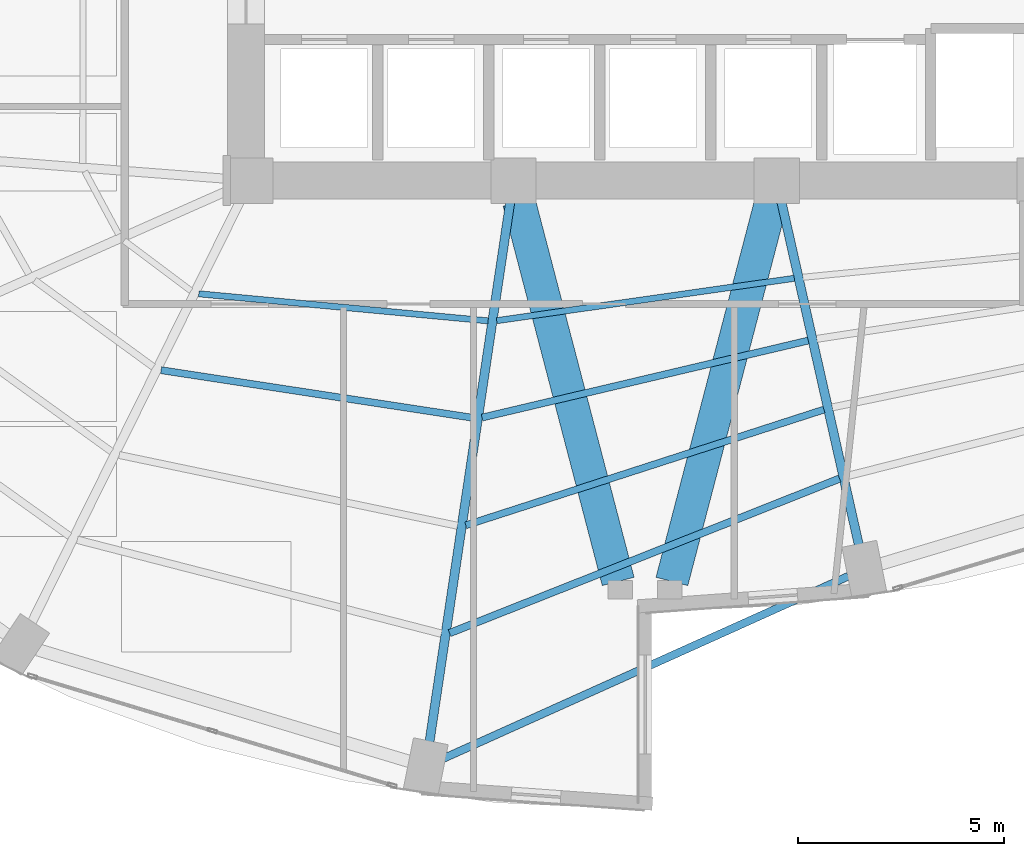
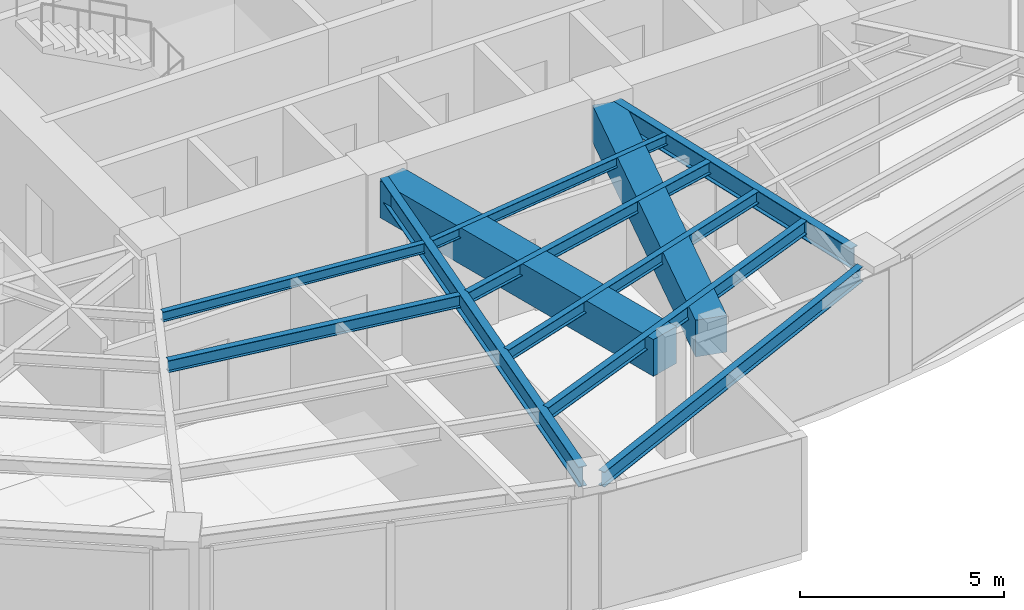
# One storey, part 6 of 24: 11 beams.
"""IFC4 building model written with IfcOpenShell, lengths in metres."""

from ifc_helpers import new_model, si_unit, direction, frame, origin, origin_2d, place, context, subcontext, project, spatial, rectangle, i_section, extrude, material, material_profile, profile_set, type_object, element, save


model = new_model("IFC4")

# Units and contexts
model_context = context("Model", 3, precision=1e-05, world=origin(), true_north=direction((0.0, 1.0)))
body_context = subcontext(model_context, "Body", "Model", "MODEL_VIEW")
ifc_project = project(units=[si_unit("LENGTHUNIT", "METRE"), si_unit("AREAUNIT", "SQUARE_METRE"), si_unit("VOLUMEUNIT", "CUBIC_METRE"), si_unit("PLANEANGLEUNIT", "RADIAN"), si_unit("MASSUNIT", "GRAM", prefix="KILO")], contexts=[model_context])

# Site, building, storey
site_placement = place(None, origin())
site = spatial("IfcSite", under=ifc_project, at=site_placement, CompositionType="ELEMENT")
building_placement = place(site_placement, origin())
building = spatial("IfcBuilding", under=site, at=building_placement, Name="Lazwardi Medical Tower", CompositionType="ELEMENT")
storey_placement = place(building_placement, frame((0.0, 0.0, 58.031982421875)))
storey = spatial("IfcBuildingStorey", under=building, at=storey_placement, Name="L14", CompositionType="ELEMENT", Elevation=58.031982421875)

# Beams
ifc_material_1 = material(Name="Concrete C70/85", Category="concrete")
ifc_material_profile_1 = material_profile(ifc_material_1, rectangle(XDim=0.800048828125, YDim=1.10009765625, at=origin_2d()), Name="RC 800x1100")
ifc_profile_set_1 = profile_set([ifc_material_profile_1], Name="Concrete C70/85")
beam_type_1 = type_object("IfcBeamType", Name="BM-CB-RC1", PredefinedType="LINTEL", material=ifc_profile_set_1)
for number, where, z_axis, x_axis, name in (
    (1, (32.935302734375, 19.88232421875, 2.8779296875), (0.252819877511, -0.967513364009, 0.0), (0.967513364009, 0.252819877511, 0.0), "Core coupling lintel CB-01 PL3 L14"),
    (2, (39.064697265625, 19.88232421875, 2.8779296875), (-0.252819877511, -0.967513364009, 0.0), (0.967513364009, -0.252819877511, 0.0), "Core coupling lintel CB-01 PL4 L14"),
):
    element("IfcBeam", number, at=place(storey_placement, frame(where, z_axis=z_axis, x_axis=x_axis)), inside=storey, type_object=beam_type_1, Name=name, PredefinedType="LINTEL", context=body_context, shape_type="SweptSolid", body=[
        extrude(rectangle(XDim=0.800048828125, YDim=1.10009765625, at=origin_2d()), origin(), (0.0, 0.0, 1.0), 9.538818359375),
    ])
ifc_material_2 = material(Name="Steel S355", Category="steel")
ifc_material_profile_2 = material_profile(ifc_material_2, i_section(OverallWidth=0.219970703125, OverallDepth=0.60009765625, WebThickness=0.011962890625, FlangeThickness=0.01904296875, at=origin_2d()), Name="IPE 600")
ifc_profile_set_2 = profile_set([ifc_material_profile_2], Name="Steel S355")
beam_type_2 = type_object("IfcBeamType", Name="BM-RG-W1", PredefinedType="BEAM", material=ifc_profile_set_2)
beam_1_placement = place(storey_placement, frame((41.203125, 11.521728515625, 3.1279296875), z_axis=(-0.22010079219, 0.975477135189, 0.0), x_axis=(-0.975477135189, -0.22010079219, 0.0)))
element("IfcBeam", 3, at=beam_1_placement, inside=storey, type_object=beam_type_2, Name="Radial girder RG-02 R01 L14", PredefinedType="BEAM", context=body_context, shape_type="SweptSolid", body=[
    extrude(i_section(OverallWidth=0.219970703125, OverallDepth=0.60009765625, WebThickness=0.011962890625, FlangeThickness=0.01904296875, at=origin_2d()), origin(), (0.0, 0.0, 1.0), 8.56640625),
])
beam_2_placement = place(storey_placement, frame((30.7548828125, 6.7294921875, 3.1279296875), z_axis=(0.147944218183, 0.98899570692, 0.0), x_axis=(-0.98899570692, 0.147944218183, 0.0)))
element("IfcBeam", 4, at=beam_2_placement, inside=storey, type_object=beam_type_2, Name="Radial girder RG-02 R16 L14", PredefinedType="BEAM", context=body_context, shape_type="SweptSolid", body=[
    extrude(i_section(OverallWidth=0.219970703125, OverallDepth=0.60009765625, WebThickness=0.011962890625, FlangeThickness=0.01904296875, at=origin_2d()), origin(), (0.0, 0.0, 1.0), 13.28759765625),
])
ifc_material_profile_3 = material_profile(ifc_material_2, i_section(OverallWidth=0.179931640625, OverallDepth=0.39990234375, WebThickness=0.008544921875, FlangeThickness=0.013427734375, at=origin_2d()), Name="IPE 400")
ifc_profile_set_3 = profile_set([ifc_material_profile_3], Name="Steel S355")
beam_type_3 = type_object("IfcBeamType", Name="BM-SJ-01", PredefinedType="JOIST", material=ifc_profile_set_3)
beam_3_placement = place(storey_placement, frame((31.245849609375, 9.396484375, 3.22802734375), z_axis=(0.929663713752, 0.368409255222, 0.0), x_axis=(-0.368409255222, 0.929663713752, 0.0)))
element("IfcBeam", 5, at=beam_3_placement, inside=storey, type_object=beam_type_3, Name="Secondary joist SJ-01 R1 B16 L14", PredefinedType="JOIST", context=body_context, shape_type="SweptSolid", body=[
    extrude(i_section(OverallWidth=0.179931640625, OverallDepth=0.39990234375, WebThickness=0.008544921875, FlangeThickness=0.013427734375, at=origin_2d()), origin(), (0.0, 0.0, 1.0), 10.2001953125),
])
ifc_material_profile_4 = material_profile(ifc_material_2, i_section(OverallWidth=0.169921875, OverallDepth=0.360107421875, WebThickness=0.008056640625, FlangeThickness=0.0126953125, at=origin_2d()), Name="IPE 360")
ifc_profile_set_4 = profile_set([ifc_material_profile_4], Name="Steel S355")
beam_type_4 = type_object("IfcBeamType", Name="BM-SJ-02", PredefinedType="JOIST", material=ifc_profile_set_4)
beam_4_placement = place(storey_placement, frame((31.64111328125, 12.018310546875, 3.248046875), z_axis=(0.951558895485, 0.307466532199, 0.0), x_axis=(-0.307466532199, 0.951558895485, 0.0)))
element("IfcBeam", 6, at=beam_4_placement, inside=storey, type_object=beam_type_4, Name="Secondary joist SJ-02 R2 B16 L14", PredefinedType="JOIST", context=body_context, shape_type="SweptSolid", body=[
    extrude(i_section(OverallWidth=0.169921875, OverallDepth=0.360107421875, WebThickness=0.008056640625, FlangeThickness=0.0126953125, at=origin_2d()), origin(), (0.0, 0.0, 1.0), 9.1513671875),
])
beam_5_placement = place(storey_placement, frame((24.23193359375, 15.790771484375, 3.248046875), z_axis=(0.988535611365, -0.150987897074, 0.0), x_axis=(0.150987897074, 0.988535611365, 0.0)))
element("IfcBeam", 7, at=beam_5_placement, inside=storey, type_object=beam_type_4, Name="Secondary joist SJ-02 R3 B15 L14", PredefinedType="JOIST", context=body_context, shape_type="SweptSolid", body=[
    extrude(i_section(OverallWidth=0.169921875, OverallDepth=0.360107421875, WebThickness=0.008056640625, FlangeThickness=0.0126953125, at=origin_2d()), origin(), (0.0, 0.0, 1.0), 7.68701171875),
])
beam_6_placement = place(storey_placement, frame((32.03662109375, 14.638427734375, 3.248046875), z_axis=(0.973240904247, 0.229787167397, 0.0), x_axis=(-0.229787167397, 0.973240904247, 0.0)))
element("IfcBeam", 8, at=beam_6_placement, inside=storey, type_object=beam_type_4, Name="Secondary joist SJ-02 R3 B16 L14", PredefinedType="JOIST", context=body_context, shape_type="SweptSolid", body=[
    extrude(i_section(OverallWidth=0.169921875, OverallDepth=0.360107421875, WebThickness=0.008056640625, FlangeThickness=0.0126953125, at=origin_2d()), origin(), (0.0, 0.0, 1.0), 8.151123046875),
])
ifc_material_profile_5 = material_profile(ifc_material_2, i_section(OverallWidth=0.14990234375, OverallDepth=0.300048828125, WebThickness=0.007080078125, FlangeThickness=0.0107421875, at=origin_2d()), Name="IPE 300")
ifc_profile_set_5 = profile_set([ifc_material_profile_5], Name="Steel S355")
beam_type_5 = type_object("IfcBeamType", Name="BM-SJ-03", PredefinedType="JOIST", material=ifc_profile_set_5)
beam_7_placement = place(storey_placement, frame((25.148193359375, 17.64794921875, 3.278076171875), z_axis=(0.995649263748, -0.093180167407, 0.0), x_axis=(0.093180167407, 0.995649263748, 0.0)))
element("IfcBeam", 9, at=beam_7_placement, inside=storey, type_object=beam_type_5, Name="Secondary joist SJ-03 R4 B15 L14", PredefinedType="JOIST", context=body_context, shape_type="SweptSolid", body=[
    extrude(i_section(OverallWidth=0.14990234375, OverallDepth=0.300048828125, WebThickness=0.007080078125, FlangeThickness=0.0107421875, at=origin_2d()), origin(), (0.0, 0.0, 1.0), 7.06640625),
])
beam_8_placement = place(storey_placement, frame((32.392333984375, 16.99462890625, 3.278076171875), z_axis=(0.99001552228, 0.140958382672, 0.0), x_axis=(-0.140958382672, 0.99001552228, 0.0)))
element("IfcBeam", 10, at=beam_8_placement, inside=storey, type_object=beam_type_5, Name="Secondary joist SJ-03 R4 B16 L14", PredefinedType="JOIST", context=body_context, shape_type="SweptSolid", body=[
    extrude(i_section(OverallWidth=0.14990234375, OverallDepth=0.300048828125, WebThickness=0.007080078125, FlangeThickness=0.0107421875, at=origin_2d()), origin(), (0.0, 0.0, 1.0), 7.30908203125),
])
ifc_material_profile_6 = material_profile(ifc_material_2, i_section(OverallWidth=0.18994140625, OverallDepth=0.449951171875, WebThickness=0.009521484375, FlangeThickness=0.0146484375, at=origin_2d()), Name="IPE 450")
ifc_profile_set_6 = profile_set([ifc_material_profile_6], Name="Steel S355")
beam_type_6 = type_object("IfcBeamType", Name="BM-SP-01", PredefinedType="SPANDREL", material=ifc_profile_set_6)
beam_9_placement = place(storey_placement, frame((31.05224609375, 6.328369140625, 3.203125), z_axis=(0.91184908894, 0.410525564368, 0.0), x_axis=(-0.410525564368, 0.91184908894, 0.0)))
element("IfcBeam", 11, at=beam_9_placement, inside=storey, type_object=beam_type_6, Name="Spandrel beam SP-01 B16 L14", PredefinedType="SPANDREL", context=body_context, shape_type="SweptSolid", body=[
    extrude(i_section(OverallWidth=0.18994140625, OverallDepth=0.449951171875, WebThickness=0.009521484375, FlangeThickness=0.0146484375, at=origin_2d()), origin(), (0.0, 0.0, 1.0), 10.85205078125),
])

save(model, "model.ifc")
